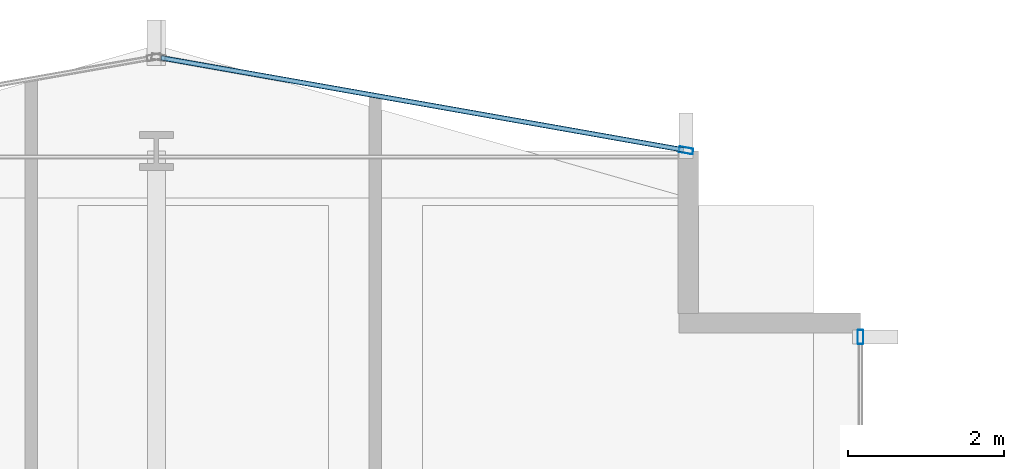
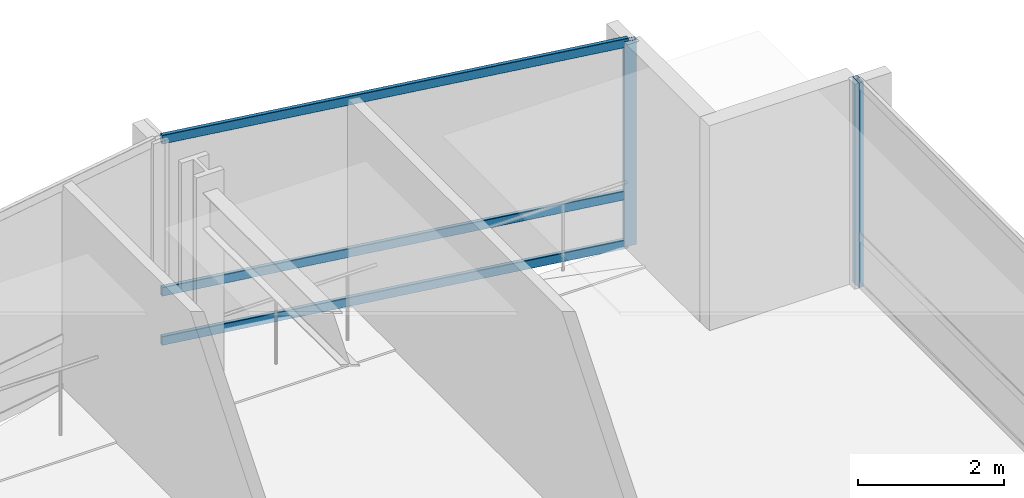
# One storey, part 24 of 34: 5 members, 2 elements without a shape of their own.
"""IFC4 building model written with IfcOpenShell, lengths in metres."""

from ifc_helpers import new_model, si_unit, direction, frame, origin, origin_2d, place, context, subcontext, project, spatial, hollow_rectangle, extrude, material, layer, layer_set, material_profile, profile_set, type_object, element, aggregate, save


model = new_model("IFC4")

# Units and contexts
model_context = context("Model", 3, precision=1e-05, world=origin(), true_north=direction((0.0, 1.0)))
body_context = subcontext(model_context, "Body", "Model", "MODEL_VIEW")
ifc_project = project(units=[si_unit("LENGTHUNIT", "METRE"), si_unit("AREAUNIT", "SQUARE_METRE"), si_unit("VOLUMEUNIT", "CUBIC_METRE"), si_unit("PLANEANGLEUNIT", "RADIAN"), si_unit("MASSUNIT", "GRAM", prefix="KILO")], contexts=[model_context])

# Site, building, storey
site_placement = place(None, origin())
site = spatial("IfcSite", under=ifc_project, at=site_placement, CompositionType="ELEMENT")
building_placement = place(site_placement, origin())
building = spatial("IfcBuilding", under=site, at=building_placement, Name="Solvaryn Broadcast Tower", CompositionType="ELEMENT")
storey_placement = place(building_placement, frame((0.0, 0.0, 47.10009765625)))
storey = spatial("IfcBuildingStorey", under=building, at=storey_placement, Name="L10", CompositionType="ELEMENT", Elevation=47.10009765625)

# Curtain wall, member
ifc_material_1 = material(Name="Aluminium and Terracotta Unitised Curtain Wall", Category="masonry")
ifc_layer = layer(ifc_material_1, 0.199951171875)
ifc_layer_set = layer_set([ifc_layer], Name="CW-SYS2-LOWMID")
curtain_wall_type = type_object("IfcCurtainWallType", Name="CW-SYS2-LOWMID", PredefinedType="NOTDEFINED", material=ifc_layer_set)
curtain_wall_1_placement = place(storey_placement, origin())
curtain_wall_1 = element("IfcCurtainWall", 1, at=curtain_wall_1_placement, inside=storey, type_object=curtain_wall_type, Name="L10 Curtain Wall IV", PredefinedType="NOTDEFINED")
ifc_material_2 = material(Name="Anodised Aluminium 6063-T6", Category="aluminium")
ifc_material_profile_1 = material_profile(ifc_material_2, hollow_rectangle(XDim=0.074951171875, YDim=0.179931640625, WallThickness=0.00390625, InnerFilletRadius=0.00390625, OuterFilletRadius=0.008056640625, at=origin_2d()))
ifc_profile_set_1 = profile_set([ifc_material_profile_1], Name="Anodised Aluminium 6063-T6")
member_type_1 = type_object("IfcMemberType", Name="CW-MUL-180", PredefinedType="MULLION", material=ifc_profile_set_1)
member_1_placement = place(storey_placement, frame((27.0, 51.6201171875, 0.0), z_axis=(0.0, 0.0, 1.0), x_axis=(1.0, 0.0, 0.0)))
member_1 = element("IfcMember", 2, at=member_1_placement, type_object=member_type_1, Name="CWS2 mullion 1", PredefinedType="MULLION", context=body_context, shape_type="SweptSolid", body=[
    extrude(hollow_rectangle(XDim=0.074951171875, YDim=0.179931640625, WallThickness=0.00390625, InnerFilletRadius=0.00390625, OuterFilletRadius=0.008056640625, at=origin_2d()), origin(), (0.0, 0.0, 1.0), 3.419921875),
])
aggregate(curtain_wall_1, [member_1])

# Curtain wall, members
curtain_wall_2_placement = place(storey_placement, origin())
curtain_wall_2 = element("IfcCurtainWall", 3, at=curtain_wall_2_placement, inside=storey, type_object=curtain_wall_type, Name="L10 Curtain Wall NT1", PredefinedType="NOTDEFINED")
member_2_placement = place(storey_placement, frame((24.7705078125, 54.005126953125, 0.0), z_axis=(0.0, 0.0, 1.0), x_axis=(-0.173785333901, -0.984783558819, 0.0)))
member_2 = element("IfcMember", 4, at=member_2_placement, type_object=member_type_1, Name="CWS2 mullion 1", PredefinedType="MULLION", context=body_context, shape_type="SweptSolid", body=[
    extrude(hollow_rectangle(XDim=0.074951171875, YDim=0.179931640625, WallThickness=0.00390625, InnerFilletRadius=0.00390625, OuterFilletRadius=0.008056640625, at=origin_2d()), origin(), (0.0, 0.0, 1.0), 3.419921875),
])
ifc_material_3 = material(Name="Anodised Aluminium 6063-T6", Category="aluminium")
ifc_material_profile_2 = material_profile(ifc_material_3, hollow_rectangle(XDim=0.06494140625, YDim=0.14990234375, WallThickness=0.00390625, InnerFilletRadius=0.00390625, OuterFilletRadius=0.008056640625, at=origin_2d()))
ifc_profile_set_2 = profile_set([ifc_material_profile_2], Name="Anodised Aluminium 6063-T6")
member_type_2 = type_object("IfcMemberType", Name="CW-TRN-150", PredefinedType="USERDEFINED", material=ifc_profile_set_2)
member_3_placement = place(storey_placement, frame((24.740966796875, 54.010498046875, 0.02978515625), z_axis=(-0.984788629673, 0.173756596613, 0.0), x_axis=(-0.173756596613, -0.984788629673, 0.0)))
member_3 = element("IfcMember", 5, at=member_3_placement, type_object=member_type_2, Name="CWS2 transom 1.1", ObjectType="TRANSOM", PredefinedType="USERDEFINED", context=body_context, shape_type="SweptSolid", body=[
    extrude(hollow_rectangle(XDim=0.06494140625, YDim=0.14990234375, WallThickness=0.00390625, InnerFilletRadius=0.00390625, OuterFilletRadius=0.008056640625, at=origin_2d()), origin(), (0.0, 0.0, 1.0), 6.78515625),
])
member_4_placement = place(storey_placement, frame((24.740966796875, 54.010498046875, 0.849853515625), z_axis=(-0.984788629673, 0.173756596613, 0.0), x_axis=(-0.173756596613, -0.984788629673, 0.0)))
member_4 = element("IfcMember", 6, at=member_4_placement, type_object=member_type_2, Name="CWS2 transom 1.2", ObjectType="TRANSOM", PredefinedType="USERDEFINED", context=body_context, shape_type="SweptSolid", body=[
    extrude(hollow_rectangle(XDim=0.06494140625, YDim=0.14990234375, WallThickness=0.00390625, InnerFilletRadius=0.00390625, OuterFilletRadius=0.008056640625, at=origin_2d()), origin(), (0.0, 0.0, 1.0), 6.78515625),
])
member_5_placement = place(storey_placement, frame((24.740966796875, 54.010498046875, 3.389892578125), z_axis=(-0.984788629673, 0.173756596613, 0.0), x_axis=(-0.173756596613, -0.984788629673, 0.0)))
member_5 = element("IfcMember", 7, at=member_5_placement, type_object=member_type_2, Name="CWS2 transom 1.3", ObjectType="TRANSOM", PredefinedType="USERDEFINED", context=body_context, shape_type="SweptSolid", body=[
    extrude(hollow_rectangle(XDim=0.06494140625, YDim=0.14990234375, WallThickness=0.00390625, InnerFilletRadius=0.00390625, OuterFilletRadius=0.008056640625, at=origin_2d()), origin(), (0.0, 0.0, 1.0), 6.78515625),
])
aggregate(curtain_wall_2, [member_2, member_3, member_4, member_5])

save(model, "model.ifc")
